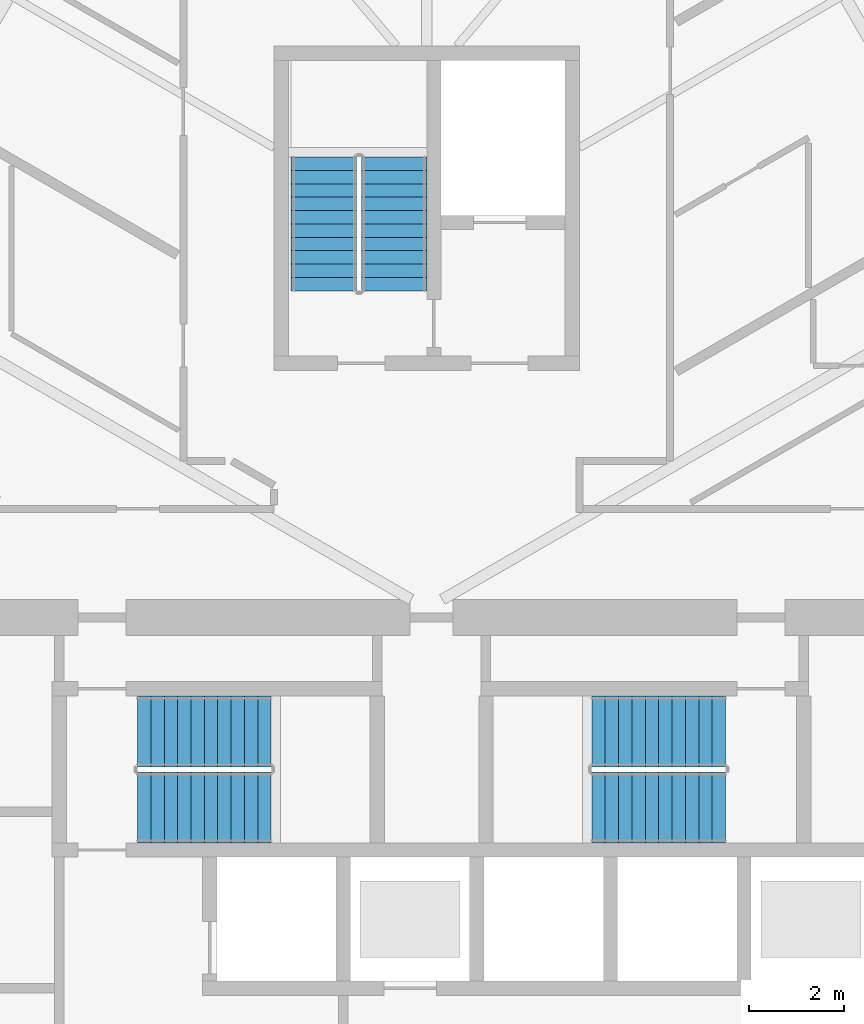
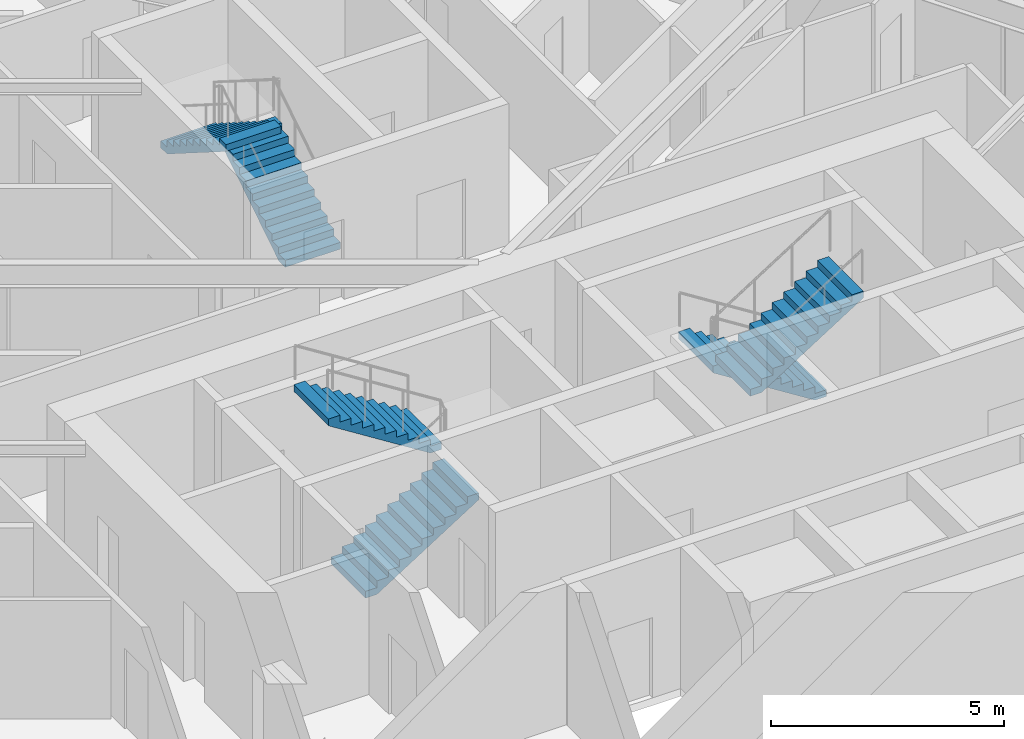
# One storey, part 17 of 19: 6 stair flights, 3 elements without a shape of their own.
"""IFC4 building model written with IfcOpenShell, lengths in metres."""

from ifc_helpers import new_model, si_unit, direction, frame, origin, place, context, subcontext, project, spatial, polyline, outline, extrude, material, type_object, element, aggregate, save


model = new_model("IFC4")

# Units and contexts
model_context = context("Model", 3, precision=1e-05, world=origin(), true_north=direction((0.0, 1.0)))
body_context = subcontext(model_context, "Body", "Model", "MODEL_VIEW")
ifc_project = project(units=[si_unit("LENGTHUNIT", "METRE"), si_unit("AREAUNIT", "SQUARE_METRE"), si_unit("VOLUMEUNIT", "CUBIC_METRE"), si_unit("PLANEANGLEUNIT", "RADIAN"), si_unit("MASSUNIT", "GRAM", prefix="KILO")], contexts=[model_context])

# Site, building, storey
site_placement = place(None, origin())
site = spatial("IfcSite", under=ifc_project, at=site_placement, CompositionType="ELEMENT")
building_placement = place(site_placement, origin())
building = spatial("IfcBuilding", under=site, at=building_placement, Name="Firuza Gate Tower and Library", CompositionType="ELEMENT")
storey_placement = place(building_placement, frame((0.0, 0.0, 218.199951171875)))
storey = spatial("IfcBuildingStorey", under=building, at=storey_placement, Name="L51", CompositionType="ELEMENT", Elevation=218.199951171875)

# Stair, stair flights
ifc_material_1 = material(Name="Concrete C35/45", Category="concrete")
stair_type_1 = type_object("IfcStairType", Name="Exit stair ST16", PredefinedType="HALF_TURN_STAIR", material=ifc_material_1)
placement = place(storey_placement, origin())
stair_1 = element("IfcStair", 1, at=placement, inside=storey, type_object=stair_type_1, Name="L51 Stair ST3", PredefinedType="HALF_TURN_STAIR")
ifc_material_2 = material(Name="Concrete C35/45", Category="concrete")
stair_flight_type_1 = type_object("IfcStairFlightType", Name="Stair flight 11 risers 177.3 width 1370", PredefinedType="STRAIGHT", material=ifc_material_2)
stair_flight_1_placement = place(storey_placement, frame((74.31494140625, 89.469970703125, 0.0), z_axis=(0.0, 0.0, 1.0), x_axis=(0.0, 1.0, 0.0)))
stair_flight_1 = element("IfcStairFlight", 2, at=stair_flight_1_placement, type_object=stair_flight_type_1, Name="ST3 flight 1", NumberOfRisers=11, NumberOfTreads=10, PredefinedType="STRAIGHT", RiserHeight=0.177272727, TreadLength=0.28, context=body_context, shape_type="SweptSolid", body=[
    extrude(outline(polyline([(0.0, 0.0), (0.0, 0.17724609375), (0.280029296875, 0.17724609375), (0.280029296875, 0.3544921875), (0.56005859375, 0.3544921875), (0.56005859375, 0.53173828125), (0.840087890625, 0.53173828125), (0.840087890625, 0.708984375), (1.1201171875, 0.708984375), (1.1201171875, 0.886474609375), (1.39990234375, 0.886474609375), (1.39990234375, 1.063720703125), (1.679931640625, 1.063720703125), (1.679931640625, 1.240966796875), (1.9599609375, 1.240966796875), (1.9599609375, 1.418212890625), (2.239990234375, 1.418212890625), (2.239990234375, 1.595458984375), (2.52001953125, 1.595458984375), (2.52001953125, 1.772705078125), (2.800048828125, 1.772705078125), (2.800048828125, 1.949951171875), (2.800048828125, 1.59521484375), (0.2802734375, 0.0), (0.0, 0.0)])), frame((0.0, 0.68505859375, 0.0), z_axis=(0.0, -1.0, 0.0), x_axis=(1.0, 0.0, 0.0)), (0.0, 0.0, 1.0), 1.3701171875),
])
stair_flight_2_placement = place(storey_placement, frame((72.844970703125, 92.27001953125, 1.949951171875), z_axis=(0.0, 0.0, 1.0), x_axis=(0.0, -1.0, 0.0)))
stair_flight_2 = element("IfcStairFlight", 3, at=stair_flight_2_placement, type_object=stair_flight_type_1, Name="ST3 flight 2", NumberOfRisers=11, NumberOfTreads=10, PredefinedType="STRAIGHT", RiserHeight=0.177272727, TreadLength=0.28, context=body_context, shape_type="SweptSolid", body=[
    extrude(outline(polyline([(0.0, 0.0), (0.0, 0.17724609375), (0.280029296875, 0.17724609375), (0.280029296875, 0.3544921875), (0.56005859375, 0.3544921875), (0.56005859375, 0.53173828125), (0.840087890625, 0.53173828125), (0.840087890625, 0.708984375), (1.1201171875, 0.708984375), (1.1201171875, 0.886474609375), (1.39990234375, 0.886474609375), (1.39990234375, 1.063720703125), (1.679931640625, 1.063720703125), (1.679931640625, 1.240966796875), (1.9599609375, 1.240966796875), (1.9599609375, 1.418212890625), (2.239990234375, 1.418212890625), (2.239990234375, 1.595458984375), (2.52001953125, 1.595458984375), (2.52001953125, 1.772705078125), (2.800048828125, 1.772705078125), (2.800048828125, 1.949951171875), (2.800048828125, 1.59521484375), (0.2802734375, 0.0), (0.0, 0.0)])), frame((0.0, 0.68505859375, 0.0), z_axis=(0.0, -1.0, 0.0), x_axis=(1.0, 0.0, 0.0)), (0.0, 0.0, 1.0), 1.3701171875),
])
aggregate(stair_1, [stair_flight_1, stair_flight_2])

ifc_material_3 = material(Name="Concrete C35/45", Category="concrete")
stair_type_2 = type_object("IfcStairType", Name="Exit stair ST7", PredefinedType="HALF_TURN_STAIR", material=ifc_material_3)
stair_2 = element("IfcStair", 4, at=placement, inside=storey, type_object=stair_type_2, Name="L51 Stair ST1", PredefinedType="HALF_TURN_STAIR")
ifc_material_4 = material(Name="Concrete C35/45", Category="concrete")
stair_flight_type_2 = type_object("IfcStairFlightType", Name="Stair flight 11 risers 177.3 width 1490", PredefinedType="STRAIGHT", material=ifc_material_4)
stair_flight_3_placement = place(storey_placement, frame((68.93994140625, 78.64501953125, 0.0), z_axis=(0.0, 0.0, 1.0), x_axis=(1.0, 0.0, 0.0)))
stair_flight_3 = element("IfcStairFlight", 5, at=stair_flight_3_placement, type_object=stair_flight_type_2, Name="ST1 flight 1", NumberOfRisers=11, NumberOfTreads=10, PredefinedType="STRAIGHT", RiserHeight=0.177272727, TreadLength=0.28, context=body_context, shape_type="SweptSolid", body=[
    extrude(outline(polyline([(0.0, 0.0), (0.0, 0.17724609375), (0.280029296875, 0.17724609375), (0.280029296875, 0.3544921875), (0.56005859375, 0.3544921875), (0.56005859375, 0.53173828125), (0.840087890625, 0.53173828125), (0.840087890625, 0.708984375), (1.1201171875, 0.708984375), (1.1201171875, 0.886474609375), (1.39990234375, 0.886474609375), (1.39990234375, 1.063720703125), (1.679931640625, 1.063720703125), (1.679931640625, 1.240966796875), (1.9599609375, 1.240966796875), (1.9599609375, 1.418212890625), (2.239990234375, 1.418212890625), (2.239990234375, 1.595458984375), (2.52001953125, 1.595458984375), (2.52001953125, 1.772705078125), (2.800048828125, 1.772705078125), (2.800048828125, 1.949951171875), (2.800048828125, 1.59521484375), (0.2802734375, 0.0), (0.0, 0.0)])), frame((0.0, 0.7451171875, 0.0), z_axis=(0.0, -1.0, 0.0), x_axis=(1.0, 0.0, 0.0)), (0.0, 0.0, 1.0), 1.489990234375),
])
stair_flight_4_placement = place(storey_placement, frame((71.739990234375, 80.235107421875, 1.949951171875), z_axis=(0.0, 0.0, 1.0), x_axis=(-1.0, 0.0, 0.0)))
stair_flight_4 = element("IfcStairFlight", 6, at=stair_flight_4_placement, type_object=stair_flight_type_2, Name="ST1 flight 2", NumberOfRisers=11, NumberOfTreads=10, PredefinedType="STRAIGHT", RiserHeight=0.177272727, TreadLength=0.28, context=body_context, shape_type="SweptSolid", body=[
    extrude(outline(polyline([(0.0, 0.0), (0.0, 0.17724609375), (0.280029296875, 0.17724609375), (0.280029296875, 0.3544921875), (0.56005859375, 0.3544921875), (0.56005859375, 0.53173828125), (0.840087890625, 0.53173828125), (0.840087890625, 0.708984375), (1.1201171875, 0.708984375), (1.1201171875, 0.886474609375), (1.39990234375, 0.886474609375), (1.39990234375, 1.063720703125), (1.679931640625, 1.063720703125), (1.679931640625, 1.240966796875), (1.9599609375, 1.240966796875), (1.9599609375, 1.418212890625), (2.239990234375, 1.418212890625), (2.239990234375, 1.595458984375), (2.52001953125, 1.595458984375), (2.52001953125, 1.772705078125), (2.800048828125, 1.772705078125), (2.800048828125, 1.949951171875), (2.800048828125, 1.59521484375), (0.2802734375, 0.0), (0.0, 0.0)])), frame((0.0, 0.7451171875, 0.0), z_axis=(0.0, -1.0, 0.0), x_axis=(1.0, 0.0, 0.0)), (0.0, 0.0, 1.0), 1.489990234375),
])
aggregate(stair_2, [stair_flight_3, stair_flight_4])

stair_3 = element("IfcStair", 7, at=placement, inside=storey, type_object=stair_type_2, Name="L51 Stair ST2", PredefinedType="HALF_TURN_STAIR")
stair_flight_5_placement = place(storey_placement, frame((81.260009765625, 80.235107421875, 0.0), z_axis=(0.0, 0.0, 1.0), x_axis=(-1.0, 0.0, 0.0)))
stair_flight_5 = element("IfcStairFlight", 8, at=stair_flight_5_placement, type_object=stair_flight_type_2, Name="ST2 flight 1", NumberOfRisers=11, NumberOfTreads=10, PredefinedType="STRAIGHT", RiserHeight=0.177272727, TreadLength=0.28, context=body_context, shape_type="SweptSolid", body=[
    extrude(outline(polyline([(0.0, 0.0), (0.0, 0.17724609375), (0.280029296875, 0.17724609375), (0.280029296875, 0.3544921875), (0.56005859375, 0.3544921875), (0.56005859375, 0.53173828125), (0.840087890625, 0.53173828125), (0.840087890625, 0.708984375), (1.1201171875, 0.708984375), (1.1201171875, 0.886474609375), (1.39990234375, 0.886474609375), (1.39990234375, 1.063720703125), (1.679931640625, 1.063720703125), (1.679931640625, 1.240966796875), (1.9599609375, 1.240966796875), (1.9599609375, 1.418212890625), (2.239990234375, 1.418212890625), (2.239990234375, 1.595458984375), (2.52001953125, 1.595458984375), (2.52001953125, 1.772705078125), (2.800048828125, 1.772705078125), (2.800048828125, 1.949951171875), (2.800048828125, 1.59521484375), (0.2802734375, 0.0), (0.0, 0.0)])), frame((0.0, 0.7451171875, 0.0), z_axis=(0.0, -1.0, 0.0), x_axis=(1.0, 0.0, 0.0)), (0.0, 0.0, 1.0), 1.489990234375),
])
stair_flight_6_placement = place(storey_placement, frame((78.4599609375, 78.64501953125, 1.949951171875), z_axis=(0.0, 0.0, 1.0), x_axis=(1.0, 0.0, 0.0)))
stair_flight_6 = element("IfcStairFlight", 9, at=stair_flight_6_placement, type_object=stair_flight_type_2, Name="ST2 flight 2", NumberOfRisers=11, NumberOfTreads=10, PredefinedType="STRAIGHT", RiserHeight=0.177272727, TreadLength=0.28, context=body_context, shape_type="SweptSolid", body=[
    extrude(outline(polyline([(0.0, 0.0), (0.0, 0.17724609375), (0.280029296875, 0.17724609375), (0.280029296875, 0.3544921875), (0.56005859375, 0.3544921875), (0.56005859375, 0.53173828125), (0.840087890625, 0.53173828125), (0.840087890625, 0.708984375), (1.1201171875, 0.708984375), (1.1201171875, 0.886474609375), (1.39990234375, 0.886474609375), (1.39990234375, 1.063720703125), (1.679931640625, 1.063720703125), (1.679931640625, 1.240966796875), (1.9599609375, 1.240966796875), (1.9599609375, 1.418212890625), (2.239990234375, 1.418212890625), (2.239990234375, 1.595458984375), (2.52001953125, 1.595458984375), (2.52001953125, 1.772705078125), (2.800048828125, 1.772705078125), (2.800048828125, 1.949951171875), (2.800048828125, 1.59521484375), (0.2802734375, 0.0), (0.0, 0.0)])), frame((0.0, 0.7451171875, 0.0), z_axis=(0.0, -1.0, 0.0), x_axis=(1.0, 0.0, 0.0)), (0.0, 0.0, 1.0), 1.489990234375),
])
aggregate(stair_3, [stair_flight_5, stair_flight_6])

save(model, "model.ifc")
